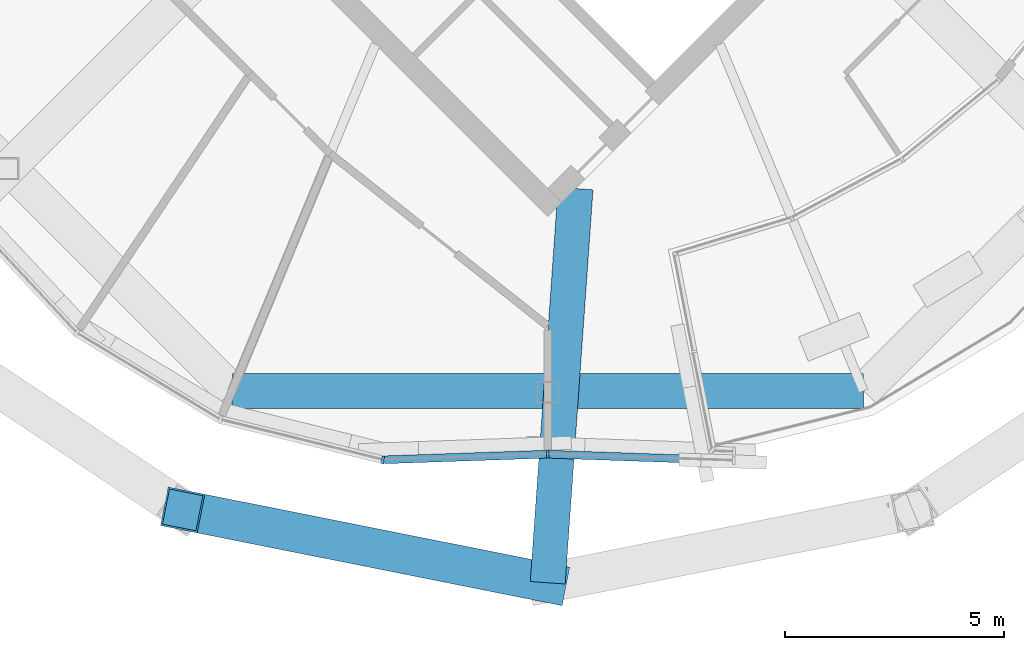
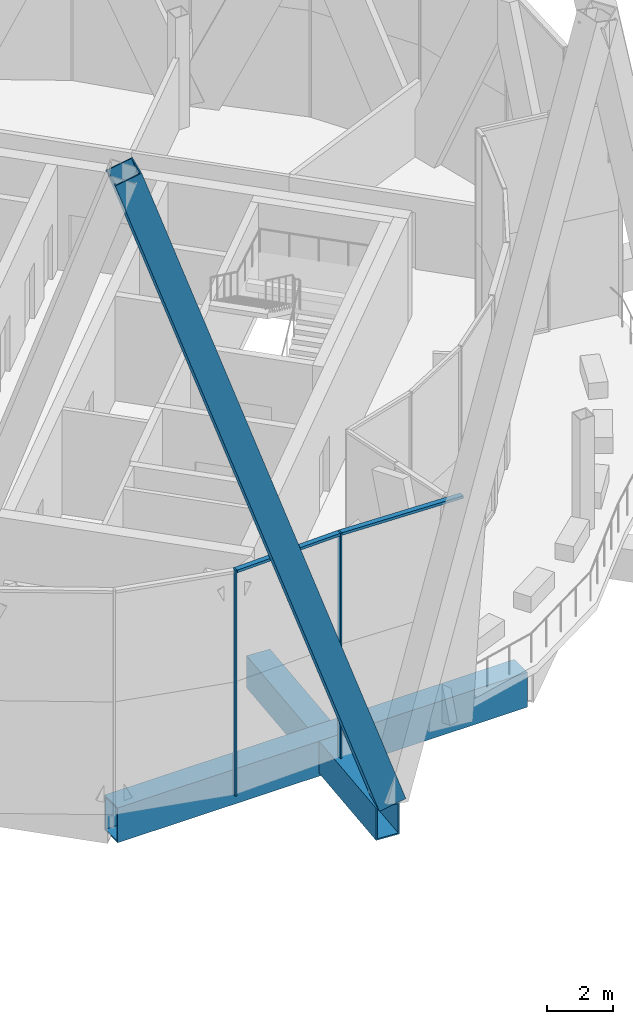
# One storey, part 12 of 38: 5 members, 2 beams, 2 elements without a shape of their own.
"""IFC4 building model written with IfcOpenShell, lengths in metres."""

from ifc_helpers import new_model, si_unit, direction, frame, origin, origin_2d, place, context, subcontext, project, spatial, rectangle, hollow_rectangle, extrude, material, material_profile, profile_set, type_object, element, aggregate, save


model = new_model("IFC4")

# Units and contexts
model_context = context("Model", 3, precision=1e-05, world=origin(), true_north=direction((0.0, 1.0)))
body_context = subcontext(model_context, "Body", "Model", "MODEL_VIEW")
ifc_project = project(units=[si_unit("LENGTHUNIT", "METRE"), si_unit("AREAUNIT", "SQUARE_METRE"), si_unit("VOLUMEUNIT", "CUBIC_METRE"), si_unit("PLANEANGLEUNIT", "RADIAN"), si_unit("MASSUNIT", "GRAM", prefix="KILO")], contexts=[model_context])

# Site, building, storey
site_placement = place(None, origin())
site = spatial("IfcSite", under=ifc_project, at=site_placement, CompositionType="ELEMENT")
building_placement = place(site_placement, origin())
building = spatial("IfcBuilding", under=site, at=building_placement, Name="Ogive Gate Towers", CompositionType="ELEMENT")
storey_placement = place(building_placement, frame((0.0, 0.0, 268.800048828125)))
storey = spatial("IfcBuildingStorey", under=building, at=storey_placement, Name="L63", CompositionType="ELEMENT", Elevation=268.800048828125)

# Member
ifc_material_1 = material(Name="Steel SM460", Category="steel")
ifc_material_profile_1 = material_profile(ifc_material_1, hollow_rectangle(XDim=0.89990234375, YDim=0.89990234375, WallThickness=0.0400390625, at=origin_2d()), Name="BX 900x900x40")
ifc_profile_set_1 = profile_set([ifc_material_profile_1], Name="Steel SM460")
member_type_1 = type_object("IfcMemberType", Name="Diagrid diagonal BX 900x900x40", PredefinedType="BRACE", material=ifc_profile_set_1)
member_1_placement = place(storey_placement, frame((36.0, -21.81005859375, 0.0), z_axis=(-0.313729069492, 0.062591606684, 0.947447287045), x_axis=(-0.195652622636, -0.980673264271, 0.0)))
element("IfcMember", 1, at=member_1_placement, inside=storey, type_object=member_type_1, Name="T2/L63/SDG013", PredefinedType="BRACE", context=body_context, shape_type="SweptSolid", body=[
    extrude(hollow_rectangle(XDim=0.89990234375, YDim=0.89990234375, WallThickness=0.0400390625, at=origin_2d()), origin(), (0.0, 0.0, 1.0), 26.59765625),
])

# Beam
ifc_material_profile_2 = material_profile(ifc_material_1, hollow_rectangle(XDim=0.800048828125, YDim=1.300048828125, WallThickness=0.050048828125, at=origin_2d()), Name="BX 1300x800x50")
ifc_profile_set_2 = profile_set([ifc_material_profile_2], Name="Steel SM460")
beam_type_1 = type_object("IfcBeamType", Name="Edge girder BX 1300x800x50", PredefinedType="BEAM", material=ifc_profile_set_2)
beam_1_placement = place(storey_placement, frame((28.782470703125, -17.42431640625, -0.949951171875), z_axis=(1.0, 0.0, 0.0), x_axis=(0.0, 1.0, 0.0)))
element("IfcBeam", 2, at=beam_1_placement, inside=storey, type_object=beam_type_1, Name="T2/L63/SBM018", PredefinedType="BEAM", context=body_context, shape_type="SweptSolid", body=[
    extrude(hollow_rectangle(XDim=0.800048828125, YDim=1.300048828125, WallThickness=0.050048828125, at=origin_2d()), origin(), (0.0, 0.0, 1.0), 14.43505859375),
])

# Curtain wall, members
ifc_material_2 = material(Name="Pale metal aluminium", Category="aluminium")
curtain_wall_type = type_object("IfcCurtainWallType", Name="Tower unitised wall, high zone", PredefinedType="NOTDEFINED", material=ifc_material_2)
curtain_wall_1_placement = place(storey_placement, origin())
curtain_wall_1 = element("IfcCurtainWall", 3, at=curtain_wall_1_placement, inside=storey, type_object=curtain_wall_type, Name="CW2 T2 ECW08", PredefinedType="NOTDEFINED")
ifc_material_profile_3 = material_profile(ifc_material_2, rectangle(XDim=0.179931640625, YDim=0.06005859375, at=origin_2d()), Name="60 x 180 aluminium box")
ifc_profile_set_3 = profile_set([ifc_material_profile_3], Name="Pale metal aluminium")
member_type_2 = type_object("IfcMemberType", Name="Tower unitised wall, high zone mullion 60 x 180", PredefinedType="MULLION", material=ifc_profile_set_3)
member_2_placement = place(storey_placement, frame((36.000244140625, -18.8701171875, -0.300048828125), z_axis=(0.0, 0.0, 1.0), x_axis=(-0.034533198497, 0.999403551225, 0.0)))
member_2 = element("IfcMember", 4, at=member_2_placement, type_object=member_type_2, Name="CW2 mullion", PredefinedType="MULLION", context=body_context, shape_type="SweptSolid", body=[
    extrude(rectangle(XDim=0.179931640625, YDim=0.06005859375, at=origin_2d()), origin(), (0.0, 0.0, 1.0), 8.39990234375),
])
member_3_placement = place(storey_placement, frame((32.231201171875, -19.000244140625, -0.300048828125), z_axis=(0.0, 0.0, 1.0), x_axis=(0.103608461555, 0.994618161253, 0.0)))
member_3 = element("IfcMember", 5, at=member_3_placement, type_object=member_type_2, Name="CW2 mullion", PredefinedType="MULLION", context=body_context, shape_type="SweptSolid", body=[
    extrude(rectangle(XDim=0.179931640625, YDim=0.06005859375, at=origin_2d()), origin(), (0.0, 0.0, 1.0), 8.39990234375),
])
ifc_material_profile_4 = material_profile(ifc_material_2, rectangle(XDim=0.179931640625, YDim=0.10009765625, at=origin_2d()), Name="100 x 180 aluminium box")
ifc_profile_set_4 = profile_set([ifc_material_profile_4], Name="Pale metal aluminium")
member_type_3 = type_object("IfcMemberType", Name="Tower unitised wall, high zone transom 100 x 180", PredefinedType="USERDEFINED", material=ifc_profile_set_4)
member_4_placement = place(storey_placement, frame((35.970458984375, -18.87109375, 8.050048828125), z_axis=(-0.999403104292, -0.034546130482, 0.0), x_axis=(0.034546130482, -0.999403104292, 0.0)))
member_4 = element("IfcMember", 6, at=member_4_placement, type_object=member_type_3, Name="CW2 transom", ObjectType="TRANSOM", PredefinedType="USERDEFINED", context=body_context, shape_type="SweptSolid", body=[
    extrude(rectangle(XDim=0.179931640625, YDim=0.10009765625, at=origin_2d()), origin(), (0.0, 0.0, 1.0), 3.710205078125),
])
aggregate(curtain_wall_1, [member_2, member_3, member_4])

# Curtain wall, member
curtain_wall_2_placement = place(storey_placement, origin())
curtain_wall_2 = element("IfcCurtainWall", 7, at=curtain_wall_2_placement, inside=storey, type_object=curtain_wall_type, Name="CW2 T2 ECW09b", PredefinedType="NOTDEFINED")
member_5_placement = place(storey_placement, frame((40.223388671875, -19.01611328125, 8.050048828125), z_axis=(-0.999402678095, 0.034558457957, 0.0), x_axis=(-0.034558457957, -0.999402678095, 0.0)))
member_5 = element("IfcMember", 8, at=member_5_placement, type_object=member_type_3, Name="CW2 transom", ObjectType="TRANSOM", PredefinedType="USERDEFINED", context=body_context, shape_type="SweptSolid", body=[
    extrude(rectangle(XDim=0.179931640625, YDim=0.10009765625, at=origin_2d()), origin(), (0.0, 0.0, 1.0), 4.1962890625),
])
aggregate(curtain_wall_2, [member_5])

# Beam
ifc_material_profile_5 = material_profile(ifc_material_1, hollow_rectangle(XDim=0.800048828125, YDim=1.199951171875, WallThickness=0.050048828125, at=origin_2d()), Name="BX 1200x800x50")
ifc_profile_set_5 = profile_set([ifc_material_profile_5], Name="Steel SM460")
beam_type_2 = type_object("IfcBeamType", Name="Transfer radial beam BX 1200x800x50", PredefinedType="BEAM", material=ifc_profile_set_5)
beam_2_placement = place(storey_placement, frame((36.636474609375, -12.798583984375, -0.900146484375), z_axis=(-0.070453840617, -0.99751504066, 0.0), x_axis=(0.99751504066, -0.070453840617, 0.0)))
element("IfcBeam", 9, at=beam_2_placement, inside=storey, type_object=beam_type_2, Name="T2/L63/SBM004", PredefinedType="BEAM", context=body_context, shape_type="SweptSolid", body=[
    extrude(hollow_rectangle(XDim=0.800048828125, YDim=1.199951171875, WallThickness=0.050048828125, at=origin_2d()), origin(), (0.0, 0.0, 1.0), 9.033935546875),
])

save(model, "model.ifc")
